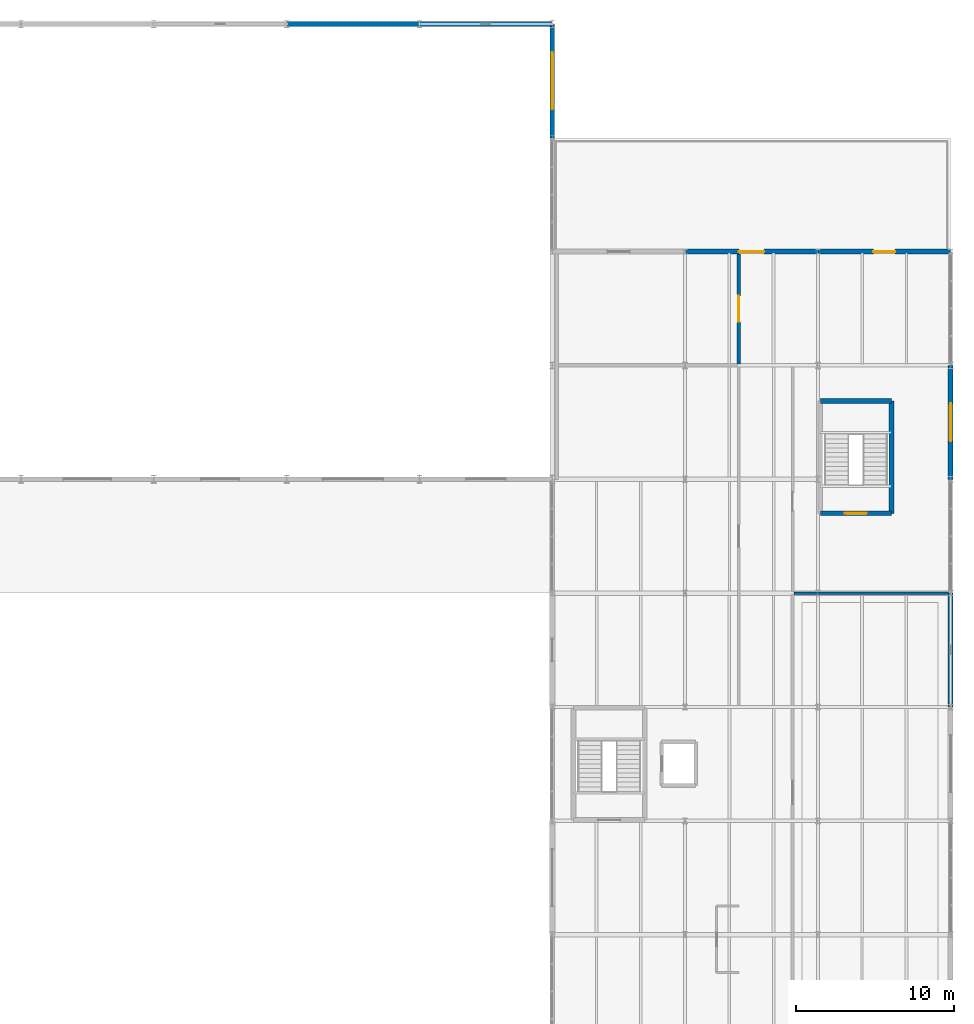
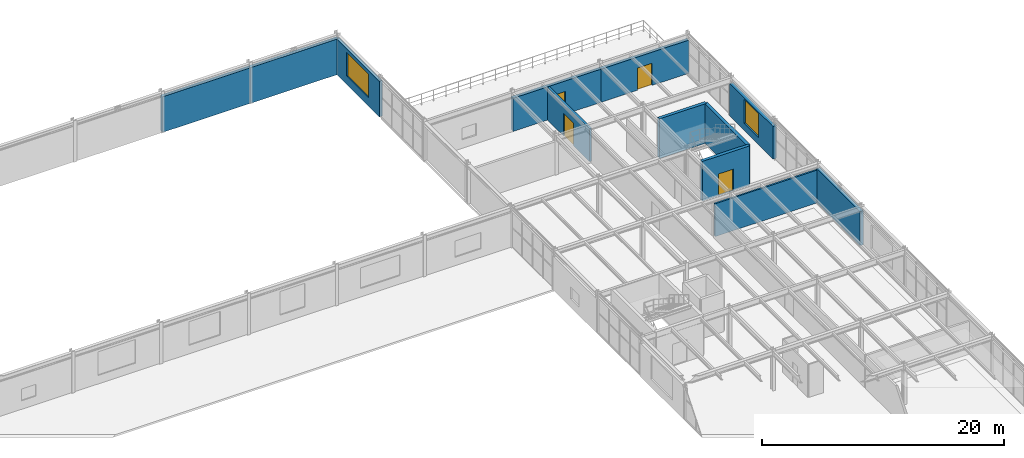
# One storey, part 67 of 73: 12 walls, 4 doors, 2 windows, 6 openings.
"""IFC4 building model written with IfcOpenShell, lengths in metres."""

from ifc_helpers import new_model, si_unit, derived_unit, direction, frame, frame_2d, origin, place, context, subcontext, project, spatial, rectangle, extrude, material, layer, layer_set, type_object, element, fill, save


model = new_model("IFC4")

# Units and contexts
model_context = context("Model", 3, precision=1e-05, world=origin(), true_north=direction((0.0, 1.0)))
body_context = subcontext(model_context, "Body", "Model", "MODEL_VIEW")
ifc_project = project(units=[si_unit("LENGTHUNIT", "METRE"), si_unit("AREAUNIT", "SQUARE_METRE"), si_unit("VOLUMEUNIT", "CUBIC_METRE"), si_unit("PLANEANGLEUNIT", "RADIAN"), si_unit("MASSUNIT", "GRAM", prefix="KILO"), derived_unit("THERMALTRANSMITTANCEUNIT", [(si_unit("MASSUNIT", "GRAM", prefix="KILO"), 1), (si_unit("TIMEUNIT", "SECOND"), -3), (si_unit("THERMODYNAMICTEMPERATUREUNIT", "KELVIN"), -1)])], contexts=[model_context])

# Site, building, storey
site_placement = place(None, origin())
site = spatial("IfcSite", under=ifc_project, at=site_placement, CompositionType="ELEMENT")
building_placement = place(site_placement, origin())
building = spatial("IfcBuilding", under=site, at=building_placement, Name="Kharveza Railside Sports Centre", CompositionType="ELEMENT")
storey_placement = place(building_placement, frame((0.0, 0.0, 8.699951171875)))
storey = spatial("IfcBuildingStorey", under=building, at=storey_placement, Name="L02", CompositionType="ELEMENT", Elevation=8.699951171875)

# Walls
ifc_material_1 = material(Name="Acoustic mineral-wool metal cladding panel")
ifc_layer_1 = layer(ifc_material_1, 0.340087890625, Name="Acoustic mineral-wool metal cladding panel")
ifc_layer_set_1 = layer_set([ifc_layer_1], Name="Acoustic mineral-wool metal cladding panel")
wall_type_1 = type_object("IfcWallType", Name="WL-AC340", PredefinedType="STANDARD", material=ifc_layer_set_1)
wall_1_placement = place(storey_placement, frame((142.800048828125, 108.0, 0.0), z_axis=(0.0, 0.0, 1.0), x_axis=(-1.0, 0.0, 0.0)))
element("IfcWall", 1, at=wall_1_placement, inside=storey, type_object=wall_type_1, Name="WL-EXT-L02-181", PredefinedType="STANDARD", context=body_context, shape_type="SweptSolid", body=[
    extrude(rectangle(XDim=8.400146484375, YDim=0.340087890625, at=frame_2d((4.2001953125, 0.0))), origin(), (0.0, 0.0, 1.0), 3.594970703125),
])
wall_2_placement = place(storey_placement, frame((134.39990234375, 108.0, 0.0), z_axis=(0.0, 0.0, 1.0), x_axis=(-1.0, 0.0, 0.0)))
element("IfcWall", 2, at=wall_2_placement, inside=storey, type_object=wall_type_1, Name="WL-EXT-L02-182", PredefinedType="STANDARD", context=body_context, shape_type="SweptSolid", body=[
    extrude(rectangle(XDim=8.39990234375, YDim=0.340087890625, at=frame_2d((4.199951171875, 0.0))), origin(), (0.0, 0.0, 1.0), 3.594970703125),
])

# Wall, opening, door
ifc_material_2 = material(Name="Concrete C35/45", Category="concrete")
ifc_layer_2 = layer(ifc_material_2, 0.300048828125, Name="Concrete C35/45")
ifc_layer_set_2 = layer_set([ifc_layer_2], Name="Concrete C35/45")
wall_type_2 = type_object("IfcWallType", Name="WL-CR300", PredefinedType="SHEAR", material=ifc_layer_set_2)
wall_3_placement = place(storey_placement, frame((159.75, 77.050048828125, 0.0), z_axis=(0.0, 0.0, 1.0), x_axis=(1.0, 0.0, 0.0)))
wall_3 = element("IfcWall", 3, at=wall_3_placement, inside=storey, type_object=wall_type_2, Name="WL-CORE-ST4-L02-S", PredefinedType="SHEAR", context=body_context, shape_type="SweptSolid", body=[
    extrude(rectangle(XDim=4.5, YDim=0.300048828125, at=frame_2d((2.25, 0.0))), origin(), (0.0, 0.0, 1.0), 4.0),
])
opening_1_placement = place(wall_3_placement, frame((1.550048828125, 0.0, 0.0)))
opening_1 = element("IfcOpeningElement", 4, at=opening_1_placement, cuts=wall_3, Name="Opening D09", PredefinedType="OPENING", context=body_context, shape_type="SweptSolid", body=[
    extrude(rectangle(XDim=1.39990234375, YDim=2.199951171875, at=frame_2d((0.699951171875, 1.10009765625))), frame((0.0, 0.1748046875, 0.0), z_axis=(0.0, -1.0, 0.0), x_axis=(1.0, 0.0, 0.0)), (0.0, 0.0, 1.0), 0.349853515625),
])
ifc_material_3 = material(Name="Fire-rated hardwood door leaf", Category="wood")
door_type_1 = type_object("IfcDoorType", Name="DR-ST02", OperationType="NOTDEFINED", PredefinedType="DOOR", material=ifc_material_3)
door_1_placement = place(opening_1_placement, frame((1.39990234375, 0.0, 0.0), z_axis=(0.0, 0.0, 1.0), x_axis=(-1.0, 0.0, 0.0)))
door_1 = element("IfcDoor", 5, at=door_1_placement, inside=storey, type_object=door_type_1, Name="DR-ST-ST4-L02", OperationType="SINGLE_SWING_RIGHT", OverallHeight=2.199951171875, OverallWidth=1.39990234375, PredefinedType="DOOR", context=body_context, shape_type="SweptSolid", body=[
    extrude(rectangle(XDim=1.39990234375, YDim=2.199951171875, at=frame_2d((0.699951171875, 1.10009765625))), frame((0.0, 0.02490234375, 0.0), z_axis=(0.0, -1.0, 0.0), x_axis=(1.0, 0.0, 0.0)), (0.0, 0.0, 1.0), 0.050048828125),
])
fill(opening_1, door_1)

# Walls
wall_4_placement = place(storey_placement, frame((164.25, 77.050048828125, 0.0), z_axis=(0.0, 0.0, 1.0), x_axis=(0.0, 1.0, 0.0)))
element("IfcWall", 6, at=wall_4_placement, inside=storey, type_object=wall_type_2, Name="WL-CORE-ST4-L02-E", PredefinedType="SHEAR", context=body_context, shape_type="SweptSolid", body=[
    extrude(rectangle(XDim=7.099853515625, YDim=0.300048828125, at=frame_2d((3.5498046875, 0.0))), origin(), (0.0, 0.0, 1.0), 4.0),
])
wall_5_placement = place(storey_placement, frame((164.25, 84.14990234375, 0.0), z_axis=(0.0, 0.0, 1.0), x_axis=(-1.0, 0.0, 0.0)))
element("IfcWall", 7, at=wall_5_placement, inside=storey, type_object=wall_type_2, Name="WL-CORE-ST4-L02-N", PredefinedType="SHEAR", context=body_context, shape_type="SweptSolid", body=[
    extrude(rectangle(XDim=4.5, YDim=0.300048828125, at=frame_2d((2.25, 0.0))), origin(), (0.0, 0.0, 1.0), 4.0),
])

# Wall, opening, window
ifc_layer_3 = layer(ifc_material_1, 0.2900390625, Name="Acoustic mineral-wool metal cladding panel")
ifc_layer_set_3 = layer_set([ifc_layer_3], Name="Acoustic mineral-wool metal cladding panel")
wall_type_3 = type_object("IfcWallType", Name="WL-EX290", PredefinedType="STANDARD", material=ifc_layer_set_3)
wall_6_placement = place(storey_placement, frame((142.800048828125, 100.800048828125, 0.0), z_axis=(0.0, 0.0, 1.0), x_axis=(0.0, 1.0, 0.0)))
wall_6 = element("IfcWall", 8, at=wall_6_placement, inside=storey, type_object=wall_type_3, Name="WL-EXT-L02-180", PredefinedType="STANDARD", context=body_context, shape_type="SweptSolid", body=[
    extrude(rectangle(XDim=7.199951171875, YDim=0.2900390625, at=frame_2d((3.60009765625, 0.0))), origin(), (0.0, 0.0, 1.0), 3.594970703125),
])
opening_2_placement = place(wall_6_placement, frame((1.800048828125, 0.0, 0.85009765625)))
opening_2 = element("IfcOpeningElement", 9, at=opening_2_placement, cuts=wall_6, Name="Opening WN01", PredefinedType="OPENING", context=body_context, shape_type="SweptSolid", body=[
    extrude(rectangle(XDim=3.60009765625, YDim=2.39990234375, at=frame_2d((1.800048828125, 1.199951171875))), frame((0.0, 0.169921875, 0.0), z_axis=(0.0, -1.0, 0.0), x_axis=(1.0, 0.0, 0.0)), (0.0, 0.0, 1.0), 0.33984375),
])
ifc_material_4 = material(Name="Low-E solar-control laminated glass", Category="glass")
window_type_1 = type_object("IfcWindowType", Name="WN-F01", PartitioningType="SINGLE_PANEL", PredefinedType="WINDOW", material=ifc_material_4)
window_1_placement = place(opening_2_placement, origin())
window_1 = element("IfcWindow", 10, at=window_1_placement, inside=storey, type_object=window_type_1, Name="WN-EXT-L02-100", OverallHeight=2.39990234375, OverallWidth=3.60009765625, PartitioningType="SINGLE_PANEL", PredefinedType="WINDOW", context=body_context, shape_type="SweptSolid", body=[
    extrude(rectangle(XDim=3.60009765625, YDim=2.39990234375, at=frame_2d((1.800048828125, 1.199951171875))), frame((0.0, 0.030029296875, 0.0), z_axis=(0.0, -1.0, 0.0), x_axis=(1.0, 0.0, 0.0)), (0.0, 0.0, 1.0), 0.06005859375),
])
fill(opening_2, window_1)

# Wall
ifc_material_5 = material(Name="Precast concrete C40/50", Category="concrete")
ifc_layer_4 = layer(ifc_material_5, 0.320068359375, Name="Precast concrete C40/50")
ifc_layer_set_4 = layer_set([ifc_layer_4], Name="Precast concrete C40/50")
wall_type_4 = type_object("IfcWallType", Name="WL-EX320", PredefinedType="STANDARD", material=ifc_layer_set_4)
wall_7_placement = place(storey_placement, frame((168.0, 64.800048828125, 0.0), z_axis=(0.0, 0.0, 1.0), x_axis=(0.0, 1.0, 0.0)))
element("IfcWall", 11, at=wall_7_placement, inside=storey, type_object=wall_type_4, Name="WL-EXT-L02-175", PredefinedType="STANDARD", context=body_context, shape_type="SweptSolid", body=[
    extrude(rectangle(XDim=7.199951171875, YDim=0.320068359375, at=frame_2d((3.60009765625, 0.0))), origin(), (0.0, 0.0, 1.0), 3.43505859375),
])

# Wall, opening, window
wall_8_placement = place(storey_placement, frame((168.0, 79.199951171875, 0.0), z_axis=(0.0, 0.0, 1.0), x_axis=(0.0, 1.0, 0.0)))
wall_8 = element("IfcWall", 12, at=wall_8_placement, inside=storey, type_object=wall_type_4, Name="WL-EXT-L02-176", PredefinedType="STANDARD", context=body_context, shape_type="SweptSolid", body=[
    extrude(rectangle(XDim=7.199951171875, YDim=0.320068359375, at=frame_2d((3.60009765625, 0.0))), origin(), (0.0, 0.0, 1.0), 3.304931640625),
])
opening_3_placement = place(wall_8_placement, frame((2.39990234375, 0.0, 0.72509765625)))
opening_3 = element("IfcOpeningElement", 13, at=opening_3_placement, cuts=wall_8, Name="Opening WN03", PredefinedType="OPENING", context=body_context, shape_type="SweptSolid", body=[
    extrude(rectangle(XDim=2.39990234375, YDim=2.39990234375, at=frame_2d((1.199951171875, 1.199951171875))), frame((0.0, 0.18505859375, 0.0), z_axis=(0.0, -1.0, 0.0), x_axis=(1.0, 0.0, 0.0)), (0.0, 0.0, 1.0), 0.369873046875),
])
window_type_2 = type_object("IfcWindowType", Name="WN-F03", PartitioningType="SINGLE_PANEL", PredefinedType="WINDOW", material=ifc_material_4)
window_2_placement = place(opening_3_placement, origin())
window_2 = element("IfcWindow", 14, at=window_2_placement, inside=storey, type_object=window_type_2, Name="WN-EXT-L02-098", OverallHeight=2.39990234375, OverallWidth=2.39990234375, PartitioningType="SINGLE_PANEL", PredefinedType="WINDOW", context=body_context, shape_type="SweptSolid", body=[
    extrude(rectangle(XDim=2.39990234375, YDim=2.39990234375, at=frame_2d((1.199951171875, 1.199951171875))), frame((0.0, 0.030029296875, 0.0), z_axis=(0.0, -1.0, 0.0), x_axis=(1.0, 0.0, 0.0)), (0.0, 0.0, 1.0), 0.06005859375),
])
fill(opening_3, window_2)

# Wall, opening, door
wall_9_placement = place(storey_placement, frame((168.0, 93.60009765625, 0.0), z_axis=(0.0, 0.0, 1.0), x_axis=(-1.0, 0.0, 0.0)))
wall_9 = element("IfcWall", 15, at=wall_9_placement, inside=storey, type_object=wall_type_4, Name="WL-EXT-L02-177", PredefinedType="STANDARD", context=body_context, shape_type="SweptSolid", body=[
    extrude(rectangle(XDim=8.39990234375, YDim=0.320068359375, at=frame_2d((4.199951171875, 0.0))), origin(), (0.0, 0.0, 1.0), 3.35498046875),
])
opening_4_placement = place(wall_9_placement, frame((3.510009765625, 0.0, 0.0)))
opening_4 = element("IfcOpeningElement", 16, at=opening_4_placement, cuts=wall_9, Name="Opening D34", PredefinedType="OPENING", context=body_context, shape_type="SweptSolid", body=[
    extrude(rectangle(XDim=1.3798828125, YDim=2.25, at=frame_2d((0.68994140625, 1.125))), frame((0.0, 0.18505859375, 0.0), z_axis=(0.0, -1.0, 0.0), x_axis=(1.0, 0.0, 0.0)), (0.0, 0.0, 1.0), 0.369873046875),
])
ifc_material_6 = material(Name="Anodised aluminium 6063-T6", Category="aluminium")
door_type_2 = type_object("IfcDoorType", Name="DR-Z10", OperationType="NOTDEFINED", PredefinedType="DOOR", material=ifc_material_6)
door_2_placement = place(opening_4_placement, frame((1.3798828125, 0.0, 0.0), z_axis=(0.0, 0.0, 1.0), x_axis=(-1.0, 0.0, 0.0)))
door_2 = element("IfcDoor", 17, at=door_2_placement, inside=storey, type_object=door_type_2, Name="DR-TERR-L02-033", OperationType="SINGLE_SWING_LEFT", OverallHeight=2.25, OverallWidth=1.3798828125, PredefinedType="DOOR", context=body_context, shape_type="SweptSolid", body=[
    extrude(rectangle(XDim=1.3798828125, YDim=2.25, at=frame_2d((0.68994140625, 1.125))), frame((0.0, 0.02490234375, 0.0), z_axis=(0.0, -1.0, 0.0), x_axis=(1.0, 0.0, 0.0)), (0.0, 0.0, 1.0), 0.050048828125),
])
fill(opening_4, door_2)

wall_10_placement = place(storey_placement, frame((159.60009765625, 93.60009765625, 0.0), z_axis=(0.0, 0.0, 1.0), x_axis=(-1.0, 0.0, 0.0)))
wall_10 = element("IfcWall", 18, at=wall_10_placement, inside=storey, type_object=wall_type_4, Name="WL-EXT-L02-178", PredefinedType="STANDARD", context=body_context, shape_type="SweptSolid", body=[
    extrude(rectangle(XDim=8.400146484375, YDim=0.320068359375, at=frame_2d((4.2001953125, 0.0))), origin(), (0.0, 0.0, 1.0), 3.35498046875),
])
opening_5_placement = place(wall_10_placement, frame((3.39990234375, 0.0, 0.0)))
opening_5 = element("IfcOpeningElement", 19, at=opening_5_placement, cuts=wall_10, Name="Opening D04", PredefinedType="OPENING", context=body_context, shape_type="SweptSolid", body=[
    extrude(rectangle(XDim=1.60009765625, YDim=2.300048828125, at=frame_2d((0.800048828125, 1.14990234375))), frame((0.0, 0.18505859375, 0.0), z_axis=(0.0, -1.0, 0.0), x_axis=(1.0, 0.0, 0.0)), (0.0, 0.0, 1.0), 0.369873046875),
])
door_type_3 = type_object("IfcDoorType", Name="DR-EX04", OperationType="NOTDEFINED", PredefinedType="DOOR", material=ifc_material_6)
door_3_placement = place(opening_5_placement, frame((1.60009765625, 0.0, 0.0), z_axis=(0.0, 0.0, 1.0), x_axis=(-1.0, 0.0, 0.0)))
door_3 = element("IfcDoor", 20, at=door_3_placement, inside=storey, type_object=door_type_3, Name="DR-TERR-L02-034", OperationType="DOUBLE_DOOR_SINGLE_SWING", OverallHeight=2.300048828125, OverallWidth=1.60009765625, PredefinedType="DOOR", context=body_context, shape_type="SweptSolid", body=[
    extrude(rectangle(XDim=1.60009765625, YDim=2.300048828125, at=frame_2d((0.800048828125, 1.14990234375))), frame((0.0, 0.02490234375, 0.0), z_axis=(0.0, -1.0, 0.0), x_axis=(1.0, 0.0, 0.0)), (0.0, 0.0, 1.0), 0.050048828125),
])
fill(opening_5, door_3)

# Wall
ifc_layer_5 = layer(ifc_material_2, 0.159912109375, Name="Concrete C35/45")
ifc_layer_set_5 = layer_set([ifc_layer_5], Name="Concrete C35/45")
wall_type_5 = type_object("IfcWallType", Name="WL-PT160", PredefinedType="PARTITIONING", material=ifc_layer_set_5)
wall_11_placement = place(storey_placement, frame((158.10009765625, 72.0, 0.0), z_axis=(0.0, 0.0, 1.0), x_axis=(1.0, 0.0, 0.0)))
element("IfcWall", 21, at=wall_11_placement, inside=storey, type_object=wall_type_5, Name="WL-INT-L02-090", PredefinedType="PARTITIONING", context=body_context, shape_type="SweptSolid", body=[
    extrude(rectangle(XDim=9.75, YDim=0.159912109375, at=frame_2d((4.875, 0.0))), origin(), (0.0, 0.0, 1.0), 3.320068359375),
])

# Wall, opening, door
ifc_layer_6 = layer(ifc_material_2, 0.219970703125, Name="Concrete C35/45")
ifc_layer_set_6 = layer_set([ifc_layer_6], Name="Concrete C35/45")
wall_type_6 = type_object("IfcWallType", Name="WL-PT220", PredefinedType="PARTITIONING", material=ifc_layer_set_6)
wall_12_placement = place(storey_placement, frame((154.60009765625, 86.5, 0.0), z_axis=(0.0, 0.0, 1.0), x_axis=(0.0, 1.0, 0.0)))
wall_12 = element("IfcWall", 22, at=wall_12_placement, inside=storey, type_object=wall_type_6, Name="WL-INT-L02-092", PredefinedType="PARTITIONING", context=body_context, shape_type="SweptSolid", body=[
    extrude(rectangle(XDim=6.949951171875, YDim=0.219970703125, at=frame_2d((3.47509765625, 0.0))), origin(), (0.0, 0.0, 1.0), 3.320068359375),
])
opening_6_placement = place(wall_12_placement, frame((2.64990234375, 0.0, 0.0)))
opening_6 = element("IfcOpeningElement", 23, at=opening_6_placement, cuts=wall_12, Name="Opening D21", PredefinedType="OPENING", context=body_context, shape_type="SweptSolid", body=[
    extrude(rectangle(XDim=1.64990234375, YDim=2.300048828125, at=frame_2d((0.824951171875, 1.14990234375))), frame((0.0, 0.134765625, 0.0), z_axis=(0.0, -1.0, 0.0), x_axis=(1.0, 0.0, 0.0)), (0.0, 0.0, 1.0), 0.269775390625),
])
ifc_material_7 = material(Name="Steel louvred plant door", Category="steel")
door_type_4 = type_object("IfcDoorType", Name="DR-PL01", OperationType="NOTDEFINED", PredefinedType="DOOR", material=ifc_material_7)
door_4_placement = place(opening_6_placement, frame((1.64990234375, 0.0, 0.0), z_axis=(0.0, 0.0, 1.0), x_axis=(-1.0, 0.0, 0.0)))
door_4 = element("IfcDoor", 24, at=door_4_placement, inside=storey, type_object=door_type_4, Name="DR-INT-L02-051", OperationType="DOUBLE_DOOR_SINGLE_SWING", OverallHeight=2.300048828125, OverallWidth=1.64990234375, PredefinedType="DOOR", context=body_context, shape_type="SweptSolid", body=[
    extrude(rectangle(XDim=1.64990234375, YDim=2.300048828125, at=frame_2d((0.824951171875, 1.14990234375))), frame((0.0, 0.02490234375, 0.0), z_axis=(0.0, -1.0, 0.0), x_axis=(1.0, 0.0, 0.0)), (0.0, 0.0, 1.0), 0.050048828125),
])
fill(opening_6, door_4)

save(model, "model.ifc")
